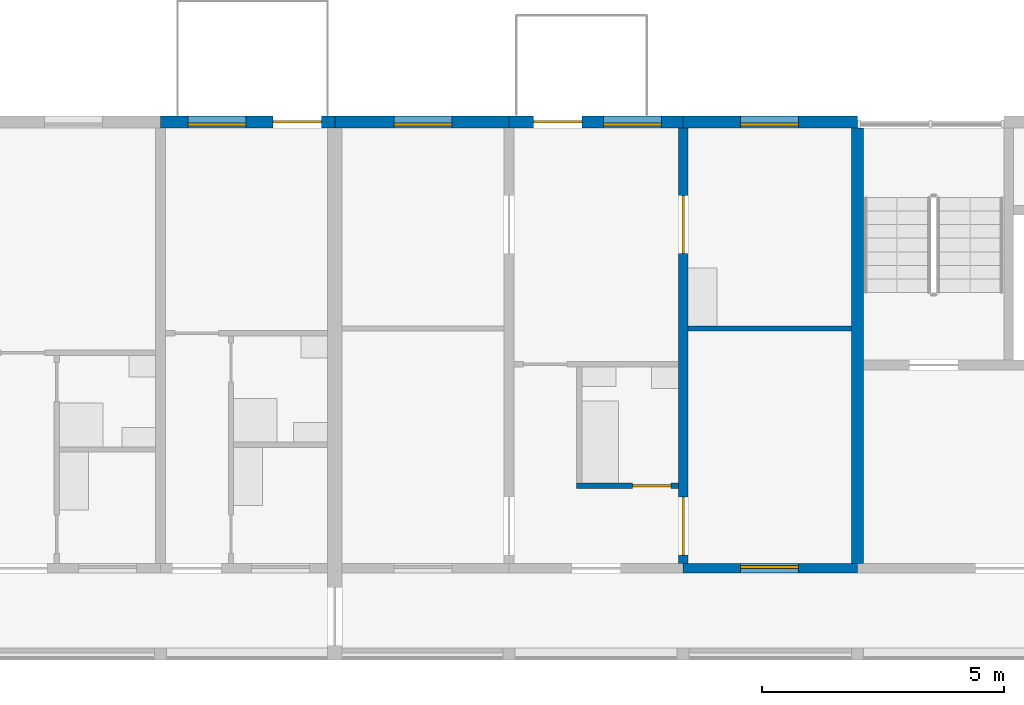
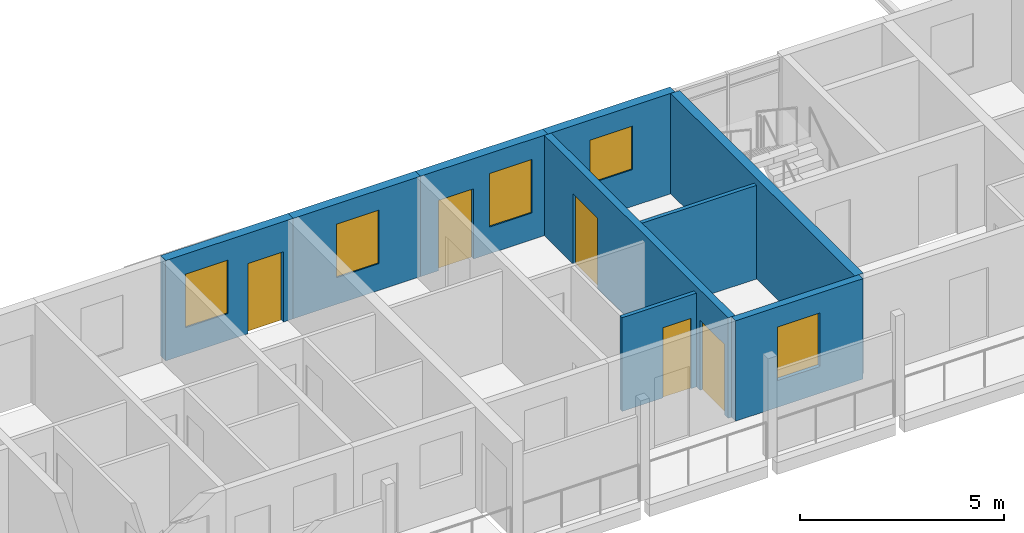
# One storey, part 40 of 87: 9 walls, 5 doors, 5 windows, 10 openings.
"""IFC4 building model written with IfcOpenShell, lengths in metres."""

from ifc_helpers import new_model, si_unit, direction, frame, frame_2d, origin, place, context, subcontext, project, spatial, rectangle, extrude, material, layer, layer_set, type_object, element, fill, save


model = new_model("IFC4")

# Units and contexts
model_context = context("Model", 3, precision=1e-05, world=origin(), true_north=direction((0.0, 1.0)))
body_context = subcontext(model_context, "Body", "Model", "MODEL_VIEW")
ifc_project = project(units=[si_unit("LENGTHUNIT", "METRE"), si_unit("AREAUNIT", "SQUARE_METRE"), si_unit("VOLUMEUNIT", "CUBIC_METRE"), si_unit("PLANEANGLEUNIT", "RADIAN"), si_unit("MASSUNIT", "GRAM", prefix="KILO")], contexts=[model_context])

# Site, building, storey
site_placement = place(None, origin())
site = spatial("IfcSite", under=ifc_project, at=site_placement, CompositionType="ELEMENT")
building_placement = place(site_placement, origin())
building = spatial("IfcBuilding", under=site, at=building_placement, Name="Ridgestep Commons", CompositionType="ELEMENT")
storey_placement = place(building_placement, frame((0.0, 0.0, 27.0)))
storey = spatial("IfcBuildingStorey", under=building, at=storey_placement, Name="L09", CompositionType="ELEMENT", Elevation=27.0)

# Wall
ifc_material_1 = material(Name="Concrete C30/37", Category="concrete")
ifc_layer_1 = layer(ifc_material_1, 0.25)
ifc_layer_set_1 = layer_set([ifc_layer_1], Name="Core cross wall 250")
wall_type_1 = type_object("IfcWallType", Name="Core cross wall 250", PredefinedType="SHEAR", material=ifc_layer_set_1)
wall_1_placement = place(storey_placement, frame((73.199951171875, 13.75, 0.0), z_axis=(0.0, 0.0, 1.0), x_axis=(0.0, 1.0, 0.0)))
element("IfcWall", 1, at=wall_1_placement, inside=storey, type_object=wall_type_1, Name="Cross wall A-09-0732", PredefinedType="SHEAR", context=body_context, shape_type="SweptSolid", body=[
    extrude(rectangle(XDim=9.0, YDim=0.25, at=frame_2d((4.5, 0.0))), origin(), (0.0, 0.0, 1.0), 3.0),
])

# Wall, openings, doors
ifc_material_2 = material(Name="Precast concrete C40/50", Category="concrete")
ifc_layer_2 = layer(ifc_material_2, 0.199951171875)
ifc_layer_set_2 = layer_set([ifc_layer_2], Name="Cross wall 200")
wall_type_2 = type_object("IfcWallType", Name="Cross wall 200", PredefinedType="SHEAR", material=ifc_layer_set_2)
wall_2_placement = place(storey_placement, frame((69.60009765625, 13.75, 0.0), z_axis=(0.0, 0.0, 1.0), x_axis=(0.0, 1.0, 0.0)))
wall_2 = element("IfcWall", 2, at=wall_2_placement, inside=storey, type_object=wall_type_2, Name="Cross wall A-09-0696", PredefinedType="SHEAR", context=body_context, shape_type="SweptSolid", body=[
    extrude(rectangle(XDim=9.0, YDim=0.199951171875, at=frame_2d((4.5, 0.0))), origin(), (0.0, 0.0, 1.0), 3.0),
])
opening_1_placement = place(wall_2_placement, frame((0.175048828125, 0.0, 0.0)))
opening_1 = element("IfcOpeningElement", 3, at=opening_1_placement, cuts=wall_2, Name="Opening A4-09a/6", PredefinedType="OPENING", context=body_context, shape_type="SweptSolid", body=[
    extrude(rectangle(XDim=1.199951171875, YDim=2.10009765625, at=frame_2d((0.60009765625, 1.050048828125))), frame((0.0, 0.10986328125, 0.0), z_axis=(0.0, -1.0, 0.0), x_axis=(1.0, 0.0, 0.0)), (0.0, 0.0, 1.0), 0.219970703125),
])
opening_2_placement = place(wall_2_placement, frame((6.39990234375, 0.0, 0.0)))
opening_2 = element("IfcOpeningElement", 4, at=opening_2_placement, cuts=wall_2, Name="Opening A4-09a/7", PredefinedType="OPENING", context=body_context, shape_type="SweptSolid", body=[
    extrude(rectangle(XDim=1.199951171875, YDim=2.10009765625, at=frame_2d((0.60009765625, 1.050048828125))), frame((0.0, 0.10986328125, 0.0), z_axis=(0.0, -1.0, 0.0), x_axis=(1.0, 0.0, 0.0)), (0.0, 0.0, 1.0), 0.219970703125),
])
ifc_material_3 = material(Name="Timber door leaf", Category="wood")
door_type_1 = type_object("IfcDoorType", Name="Double door 1200 x 2100", OperationType="DOUBLE_DOOR_SINGLE_SWING", PredefinedType="DOOR", material=ifc_material_3)
door_1_placement = place(opening_1_placement, origin())
door_1 = element("IfcDoor", 5, at=door_1_placement, inside=storey, type_object=door_type_1, Name="Double door A4-09a/6", OperationType="DOUBLE_DOOR_SINGLE_SWING", OverallHeight=2.10009765625, OverallWidth=1.199951171875, PredefinedType="DOOR", context=body_context, shape_type="SweptSolid", body=[
    extrude(rectangle(XDim=1.199951171875, YDim=2.10009765625, at=frame_2d((0.60009765625, 1.050048828125))), frame((0.0, 0.02490234375, 0.0), z_axis=(0.0, -1.0, 0.0), x_axis=(1.0, 0.0, 0.0)), (0.0, 0.0, 1.0), 0.050048828125),
])
fill(opening_1, door_1)
door_2_placement = place(opening_2_placement, origin())
door_2 = element("IfcDoor", 6, at=door_2_placement, inside=storey, type_object=door_type_1, Name="Double door A4-09a/7", OperationType="DOUBLE_DOOR_SINGLE_SWING", OverallHeight=2.10009765625, OverallWidth=1.199951171875, PredefinedType="DOOR", context=body_context, shape_type="SweptSolid", body=[
    extrude(rectangle(XDim=1.199951171875, YDim=2.10009765625, at=frame_2d((0.60009765625, 1.050048828125))), frame((0.0, 0.02490234375, 0.0), z_axis=(0.0, -1.0, 0.0), x_axis=(1.0, 0.0, 0.0)), (0.0, 0.0, 1.0), 0.050048828125),
])
fill(opening_2, door_2)

# Wall, openings, door, window
ifc_material_4 = material(Name="Precast concrete C40/50", Category="concrete")
ifc_layer_3 = layer(ifc_material_4, 0.25)
ifc_layer_set_3 = layer_set([ifc_layer_3], Name="North facade panel 250")
wall_type_3 = type_object("IfcWallType", Name="North facade panel 250", PredefinedType="SOLIDWALL", material=ifc_layer_set_3)
wall_3_placement = place(storey_placement, frame((58.800048828125, 22.875, 0.0), z_axis=(0.0, 0.0, 1.0), x_axis=(1.0, 0.0, 0.0)))
wall_3 = element("IfcWall", 7, at=wall_3_placement, inside=storey, type_object=wall_type_3, Name="North panel A3T1 L09", PredefinedType="SOLIDWALL", context=body_context, shape_type="SweptSolid", body=[
    extrude(rectangle(XDim=3.599853515625, YDim=0.25, at=frame_2d((1.7998046875, 0.0))), origin(), (0.0, 0.0, 1.0), 3.0),
])
opening_3_placement = place(wall_3_placement, frame((0.56201171875, 0.0, 0.800048828125)))
opening_3 = element("IfcOpeningElement", 8, at=opening_3_placement, cuts=wall_3, Name="Opening W11", PredefinedType="OPENING", context=body_context, shape_type="SweptSolid", body=[
    extrude(rectangle(XDim=1.199951171875, YDim=1.60009765625, at=frame_2d((0.60009765625, 0.800048828125))), frame((0.0, 0.135009765625, 0.0), z_axis=(0.0, -1.0, 0.0), x_axis=(1.0, 0.0, 0.0)), (0.0, 0.0, 1.0), 0.27001953125),
])
opening_4_placement = place(wall_3_placement, frame((2.323974609375, 0.0, 0.0)))
opening_4 = element("IfcOpeningElement", 9, at=opening_4_placement, cuts=wall_3, Name="Opening A3-09a/5", PredefinedType="OPENING", context=body_context, shape_type="SweptSolid", body=[
    extrude(rectangle(XDim=1.0, YDim=2.10009765625, at=frame_2d((0.5, 1.050048828125))), frame((0.0, 0.135009765625, 0.0), z_axis=(0.0, -1.0, 0.0), x_axis=(1.0, 0.0, 0.0)), (0.0, 0.0, 1.0), 0.27001953125),
])
ifc_material_5 = material(Name="Aluminium and glass", Category="aluminium")
door_type_2 = type_object("IfcDoorType", Name="Balcony door 1000 x 2100", OperationType="NOTDEFINED", PredefinedType="DOOR", material=ifc_material_5)
door_3_placement = place(opening_4_placement, origin())
door_3 = element("IfcDoor", 10, at=door_3_placement, inside=storey, type_object=door_type_2, Name="Balcony door A3-09a/5", OperationType="SINGLE_SWING_LEFT", OverallHeight=2.10009765625, OverallWidth=1.0, PredefinedType="DOOR", context=body_context, shape_type="SweptSolid", body=[
    extrude(rectangle(XDim=1.0, YDim=2.10009765625, at=frame_2d((0.5, 1.050048828125))), frame((0.0, 0.02490234375, 0.0), z_axis=(0.0, -1.0, 0.0), x_axis=(1.0, 0.0, 0.0)), (0.0, 0.0, 1.0), 0.050048828125),
])
fill(opening_4, door_3)
ifc_material_6 = material(Name="Aluminium 6063-T6 and glass", Category="aluminium")
window_type_1 = type_object("IfcWindowType", Name="Flat window 1200 x 1600", PartitioningType="SINGLE_PANEL", PredefinedType="WINDOW", material=ifc_material_6)
window_1_placement = place(opening_3_placement, origin())
window_1 = element("IfcWindow", 11, at=window_1_placement, inside=storey, type_object=window_type_1, Name="Window A3-09a 2", OverallHeight=1.60009765625, OverallWidth=1.199951171875, PartitioningType="SINGLE_PANEL", PredefinedType="WINDOW", context=body_context, shape_type="SweptSolid", body=[
    extrude(rectangle(XDim=1.199951171875, YDim=1.60009765625, at=frame_2d((0.60009765625, 0.800048828125))), frame((0.0, -0.02490234375, 0.0), z_axis=(0.0, -1.0, 0.0), x_axis=(1.0, 0.0, 0.0)), (0.0, 0.0, 1.0), 0.06005859375),
])
fill(opening_3, window_1)

# Wall, opening, window
wall_4_placement = place(storey_placement, frame((62.39990234375, 22.875, 0.0), z_axis=(0.0, 0.0, 1.0), x_axis=(1.0, 0.0, 0.0)))
wall_4 = element("IfcWall", 12, at=wall_4_placement, inside=storey, type_object=wall_type_3, Name="North panel A4T1 L09", PredefinedType="SOLIDWALL", context=body_context, shape_type="SweptSolid", body=[
    extrude(rectangle(XDim=3.60009765625, YDim=0.25, at=frame_2d((1.800048828125, 0.0))), origin(), (0.0, 0.0, 1.0), 3.0),
])
opening_5_placement = place(wall_4_placement, frame((1.22509765625, 0.0, 0.800048828125)))
opening_5 = element("IfcOpeningElement", 13, at=opening_5_placement, cuts=wall_4, Name="Opening W11", PredefinedType="OPENING", context=body_context, shape_type="SweptSolid", body=[
    extrude(rectangle(XDim=1.199951171875, YDim=1.60009765625, at=frame_2d((0.60009765625, 0.800048828125))), frame((0.0, 0.135009765625, 0.0), z_axis=(0.0, -1.0, 0.0), x_axis=(1.0, 0.0, 0.0)), (0.0, 0.0, 1.0), 0.27001953125),
])
window_2_placement = place(opening_5_placement, origin())
window_2 = element("IfcWindow", 14, at=window_2_placement, inside=storey, type_object=window_type_1, Name="Window A4-09a 2", OverallHeight=1.60009765625, OverallWidth=1.199951171875, PartitioningType="SINGLE_PANEL", PredefinedType="WINDOW", context=body_context, shape_type="SweptSolid", body=[
    extrude(rectangle(XDim=1.199951171875, YDim=1.60009765625, at=frame_2d((0.60009765625, 0.800048828125))), frame((0.0, -0.02490234375, 0.0), z_axis=(0.0, -1.0, 0.0), x_axis=(1.0, 0.0, 0.0)), (0.0, 0.0, 1.0), 0.06005859375),
])
fill(opening_5, window_2)

# Wall, openings, door, window
wall_5_placement = place(storey_placement, frame((66.0, 22.875, 0.0), z_axis=(0.0, 0.0, 1.0), x_axis=(1.0, 0.0, 0.0)))
wall_5 = element("IfcWall", 15, at=wall_5_placement, inside=storey, type_object=wall_type_3, Name="North panel A4T2 L09", PredefinedType="SOLIDWALL", context=body_context, shape_type="SweptSolid", body=[
    extrude(rectangle(XDim=3.60009765625, YDim=0.25, at=frame_2d((1.800048828125, 0.0))), origin(), (0.0, 0.0, 1.0), 3.0),
])
opening_6_placement = place(wall_5_placement, frame((1.951904296875, 0.0, 0.800048828125)))
opening_6 = element("IfcOpeningElement", 16, at=opening_6_placement, cuts=wall_5, Name="Opening W11", PredefinedType="OPENING", context=body_context, shape_type="SweptSolid", body=[
    extrude(rectangle(XDim=1.199951171875, YDim=1.60009765625, at=frame_2d((0.60009765625, 0.800048828125))), frame((0.0, 0.135009765625, 0.0), z_axis=(0.0, -1.0, 0.0), x_axis=(1.0, 0.0, 0.0)), (0.0, 0.0, 1.0), 0.27001953125),
])
opening_7_placement = place(wall_5_placement, frame((0.50390625, 0.0, 0.0)))
opening_7 = element("IfcOpeningElement", 17, at=opening_7_placement, cuts=wall_5, Name="Opening A4-09a/8", PredefinedType="OPENING", context=body_context, shape_type="SweptSolid", body=[
    extrude(rectangle(XDim=1.0, YDim=2.10009765625, at=frame_2d((0.5, 1.050048828125))), frame((0.0, 0.135009765625, 0.0), z_axis=(0.0, -1.0, 0.0), x_axis=(1.0, 0.0, 0.0)), (0.0, 0.0, 1.0), 0.27001953125),
])
door_4_placement = place(opening_7_placement, origin())
door_4 = element("IfcDoor", 18, at=door_4_placement, inside=storey, type_object=door_type_2, Name="Balcony door A4-09a/8", OperationType="SINGLE_SWING_RIGHT", OverallHeight=2.10009765625, OverallWidth=1.0, PredefinedType="DOOR", context=body_context, shape_type="SweptSolid", body=[
    extrude(rectangle(XDim=1.0, YDim=2.10009765625, at=frame_2d((0.5, 1.050048828125))), frame((0.0, 0.02490234375, 0.0), z_axis=(0.0, -1.0, 0.0), x_axis=(1.0, 0.0, 0.0)), (0.0, 0.0, 1.0), 0.050048828125),
])
fill(opening_7, door_4)
window_3_placement = place(opening_6_placement, origin())
window_3 = element("IfcWindow", 19, at=window_3_placement, inside=storey, type_object=window_type_1, Name="Window A4-09a 5", OverallHeight=1.60009765625, OverallWidth=1.199951171875, PartitioningType="SINGLE_PANEL", PredefinedType="WINDOW", context=body_context, shape_type="SweptSolid", body=[
    extrude(rectangle(XDim=1.199951171875, YDim=1.60009765625, at=frame_2d((0.60009765625, 0.800048828125))), frame((0.0, -0.02490234375, 0.0), z_axis=(0.0, -1.0, 0.0), x_axis=(1.0, 0.0, 0.0)), (0.0, 0.0, 1.0), 0.06005859375),
])
fill(opening_6, window_3)

# Wall, opening, window
wall_6_placement = place(storey_placement, frame((69.60009765625, 22.875, 0.0), z_axis=(0.0, 0.0, 1.0), x_axis=(1.0, 0.0, 0.0)))
wall_6 = element("IfcWall", 20, at=wall_6_placement, inside=storey, type_object=wall_type_3, Name="North panel A4T3 L09", PredefinedType="SOLIDWALL", context=body_context, shape_type="SweptSolid", body=[
    extrude(rectangle(XDim=3.599853515625, YDim=0.25, at=frame_2d((1.7998046875, 0.0))), origin(), (0.0, 0.0, 1.0), 3.0),
])
opening_8_placement = place(wall_6_placement, frame((1.1875, 0.0, 1.10009765625)))
opening_8 = element("IfcOpeningElement", 21, at=opening_8_placement, cuts=wall_6, Name="Opening W08", PredefinedType="OPENING", context=body_context, shape_type="SweptSolid", body=[
    extrude(rectangle(XDim=1.199951171875, YDim=1.300048828125, at=frame_2d((0.60009765625, 0.64990234375))), frame((0.0, 0.135009765625, 0.0), z_axis=(0.0, -1.0, 0.0), x_axis=(1.0, 0.0, 0.0)), (0.0, 0.0, 1.0), 0.27001953125),
])
ifc_material_7 = material(Name="Aluminium 6063-T6 and glass", Category="aluminium")
window_type_2 = type_object("IfcWindowType", Name="Flat window 1200 x 1300", PartitioningType="SINGLE_PANEL", PredefinedType="WINDOW", material=ifc_material_7)
window_4_placement = place(opening_8_placement, origin())
window_4 = element("IfcWindow", 22, at=window_4_placement, inside=storey, type_object=window_type_2, Name="Window A4-09a 4", OverallHeight=1.300048828125, OverallWidth=1.199951171875, PartitioningType="SINGLE_PANEL", PredefinedType="WINDOW", context=body_context, shape_type="SweptSolid", body=[
    extrude(rectangle(XDim=1.199951171875, YDim=1.300048828125, at=frame_2d((0.60009765625, 0.64990234375))), frame((0.0, -0.02490234375, 0.0), z_axis=(0.0, -1.0, 0.0), x_axis=(1.0, 0.0, 0.0)), (0.0, 0.0, 1.0), 0.06005859375),
])
fill(opening_8, window_4)

# Wall, opening, door
ifc_material_8 = material(Name="Common brick 110 mm", Category="masonry")
ifc_layer_4 = layer(ifc_material_8, 0.110107421875)
ifc_layer_set_4 = layer_set([ifc_layer_4], Name="Partition 110")
wall_type_4 = type_object("IfcWallType", Name="Partition 110", PredefinedType="PARTITIONING", material=ifc_layer_set_4)
wall_7_placement = place(storey_placement, frame((67.39990234375, 15.35498046875, 0.0), z_axis=(0.0, 0.0, 1.0), x_axis=(1.0, 0.0, 0.0)))
wall_7 = element("IfcWall", 23, at=wall_7_placement, inside=storey, type_object=wall_type_4, Name="Partition A4-09a", PredefinedType="PARTITIONING", context=body_context, shape_type="SweptSolid", body=[
    extrude(rectangle(XDim=2.10009765625, YDim=0.110107421875, at=frame_2d((1.050048828125, 0.0))), origin(), (0.0, 0.0, 1.0), 2.800048828125),
])
opening_9_placement = place(wall_7_placement, frame((1.14990234375, 0.0, 0.0)))
opening_9 = element("IfcOpeningElement", 24, at=opening_9_placement, cuts=wall_7, Name="Opening A4-09a/2", PredefinedType="OPENING", context=body_context, shape_type="SweptSolid", body=[
    extrude(rectangle(XDim=0.800048828125, YDim=2.10009765625, at=frame_2d((0.39990234375, 1.050048828125))), frame((0.0, 0.06494140625, 0.0), z_axis=(0.0, -1.0, 0.0), x_axis=(1.0, 0.0, 0.0)), (0.0, 0.0, 1.0), 0.130126953125),
])
ifc_material_9 = material(Name="Timber door leaf", Category="wood")
door_type_3 = type_object("IfcDoorType", Name="Internal door 800 x 2100", OperationType="NOTDEFINED", PredefinedType="DOOR", material=ifc_material_9)
door_5_placement = place(opening_9_placement, origin())
door_5 = element("IfcDoor", 25, at=door_5_placement, inside=storey, type_object=door_type_3, Name="Internal door A4-09a/2", OperationType="SINGLE_SWING_RIGHT", OverallHeight=2.10009765625, OverallWidth=0.800048828125, PredefinedType="DOOR", context=body_context, shape_type="SweptSolid", body=[
    extrude(rectangle(XDim=0.800048828125, YDim=2.10009765625, at=frame_2d((0.39990234375, 1.050048828125))), frame((0.0, 0.02490234375, 0.0), z_axis=(0.0, -1.0, 0.0), x_axis=(1.0, 0.0, 0.0)), (0.0, 0.0, 1.0), 0.050048828125),
])
fill(opening_9, door_5)

# Wall
wall_8_placement = place(storey_placement, frame((69.699951171875, 18.60498046875, 0.0), z_axis=(0.0, 0.0, 1.0), x_axis=(1.0, 0.0, 0.0)))
element("IfcWall", 26, at=wall_8_placement, inside=storey, type_object=wall_type_4, Name="Partition A4-09a", PredefinedType="PARTITIONING", context=body_context, shape_type="SweptSolid", body=[
    extrude(rectangle(XDim=3.375, YDim=0.110107421875, at=frame_2d((1.6875, 0.0))), origin(), (0.0, 0.0, 1.0), 2.800048828125),
])

# Wall, opening, window
ifc_material_10 = material(Name="Precast concrete C40/50", Category="concrete")
ifc_layer_5 = layer(ifc_material_10, 0.199951171875)
ifc_layer_set_5 = layer_set([ifc_layer_5], Name="South facade panel 200")
wall_type_5 = type_object("IfcWallType", Name="South facade panel 200", PredefinedType="SOLIDWALL", material=ifc_layer_set_5)
wall_9_placement = place(storey_placement, frame((69.60009765625, 13.64990234375, 0.0), z_axis=(0.0, 0.0, 1.0), x_axis=(1.0, 0.0, 0.0)))
wall_9 = element("IfcWall", 27, at=wall_9_placement, inside=storey, type_object=wall_type_5, Name="South panel A4T3 L09", PredefinedType="SOLIDWALL", context=body_context, shape_type="SweptSolid", body=[
    extrude(rectangle(XDim=3.599853515625, YDim=0.199951171875, at=frame_2d((1.7998046875, 0.0))), origin(), (0.0, 0.0, 1.0), 3.0),
])
opening_10_placement = place(wall_9_placement, frame((1.1875, 0.0, 0.800048828125)))
opening_10 = element("IfcOpeningElement", 28, at=opening_10_placement, cuts=wall_9, Name="Opening W11", PredefinedType="OPENING", context=body_context, shape_type="SweptSolid", body=[
    extrude(rectangle(XDim=1.199951171875, YDim=1.60009765625, at=frame_2d((0.60009765625, 0.800048828125))), frame((0.0, 0.10986328125, 0.0), z_axis=(0.0, -1.0, 0.0), x_axis=(1.0, 0.0, 0.0)), (0.0, 0.0, 1.0), 0.219970703125),
])
window_5_placement = place(opening_10_placement, origin())
window_5 = element("IfcWindow", 29, at=window_5_placement, inside=storey, type_object=window_type_1, Name="Window A4-09a 3", OverallHeight=1.60009765625, OverallWidth=1.199951171875, PartitioningType="SINGLE_PANEL", PredefinedType="WINDOW", context=body_context, shape_type="SweptSolid", body=[
    extrude(rectangle(XDim=1.199951171875, YDim=1.60009765625, at=frame_2d((0.60009765625, 0.800048828125))), frame((0.0, 0.06005859375, 0.0), z_axis=(0.0, -1.0, 0.0), x_axis=(1.0, 0.0, 0.0)), (0.0, 0.0, 1.0), 0.06005859375),
])
fill(opening_10, window_5)

save(model, "model.ifc")
